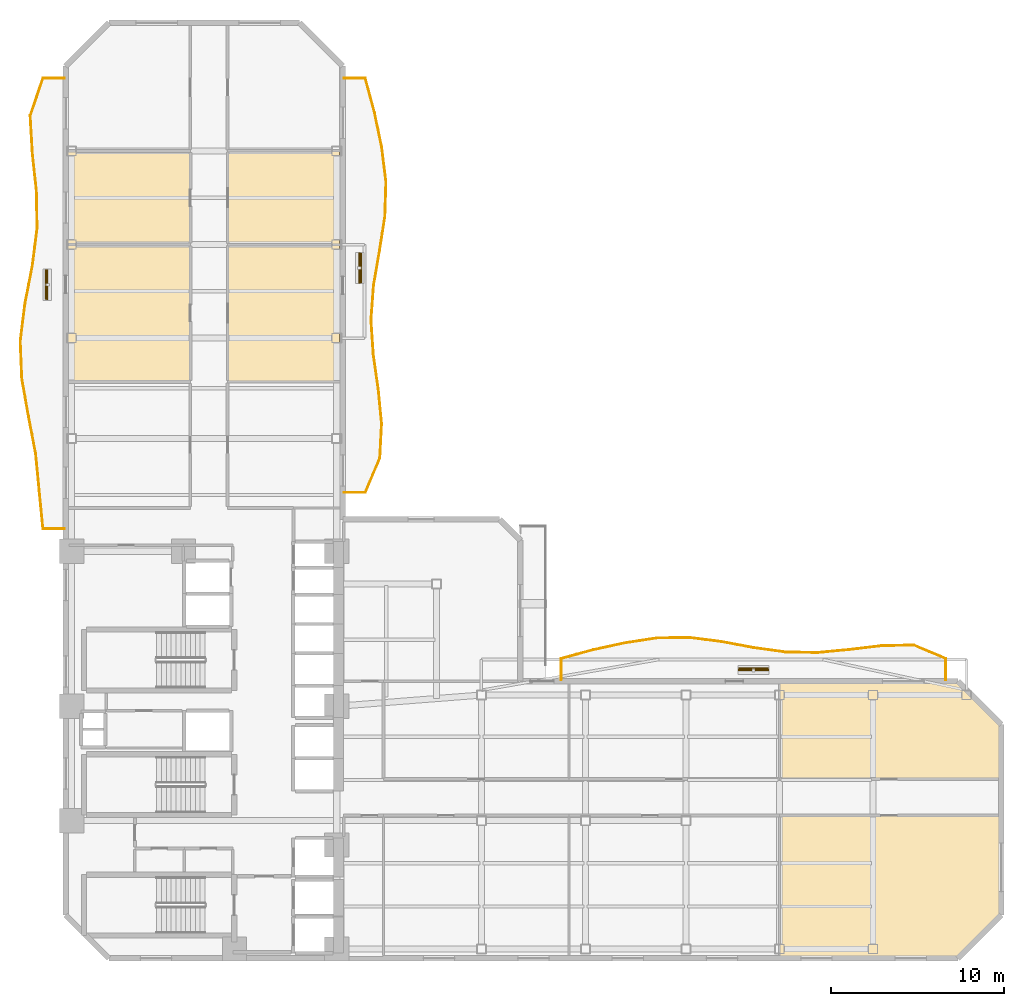
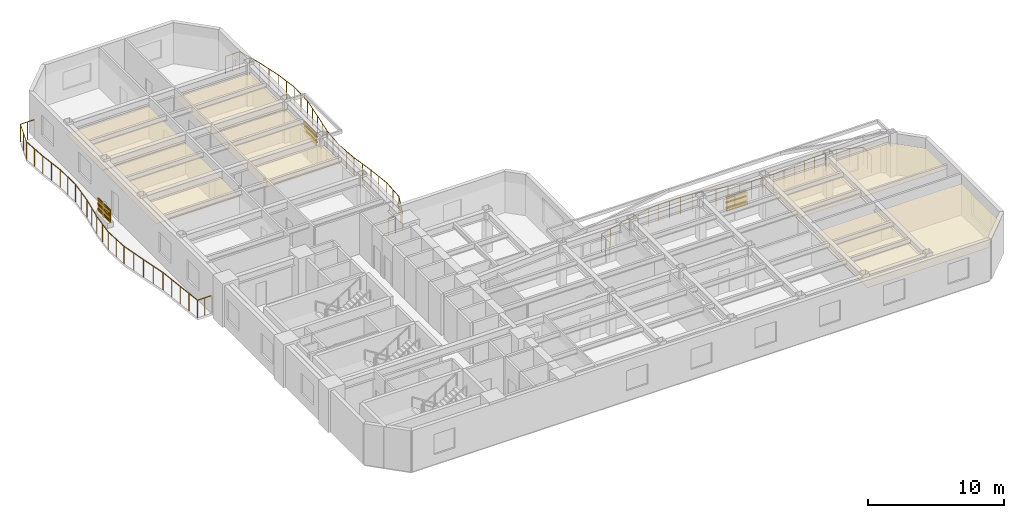
# One storey, part 10 of 11: 11 shading devices, 6 coverings, 3 railings.
"""IFC4 building model written with IfcOpenShell, lengths in metres."""

from ifc_helpers import new_model, si_unit, direction, frame, origin, origin_2d, place, context, subcontext, project, spatial, polyline, rectangle, outline, extrude, material, layer, layer_set, material_profile, profile_set, type_object, element, save


model = new_model("IFC4")

# Units and contexts
model_context = context("Model", 3, precision=1e-05, world=origin(), true_north=direction((0.0, 1.0)))
body_context = subcontext(model_context, "Body", "Model", "MODEL_VIEW")
ifc_project = project(units=[si_unit("LENGTHUNIT", "METRE"), si_unit("AREAUNIT", "SQUARE_METRE"), si_unit("VOLUMEUNIT", "CUBIC_METRE"), si_unit("PLANEANGLEUNIT", "RADIAN"), si_unit("MASSUNIT", "GRAM", prefix="KILO")], contexts=[model_context])

# Site, building, storey
site_placement = place(None, origin())
site = spatial("IfcSite", under=ifc_project, at=site_placement, CompositionType="ELEMENT")
building_placement = place(site_placement, origin())
building = spatial("IfcBuilding", under=site, at=building_placement, Name="Mawjaban Terraces University", CompositionType="ELEMENT")
storey_placement = place(building_placement, frame((0.0, 0.0, 77.800048828125)))
storey = spatial("IfcBuildingStorey", under=building, at=storey_placement, Name="L18", CompositionType="ELEMENT", Elevation=77.800048828125)

# Coverings
ifc_material_1 = material(Name="Acoustic mineral fibre ceiling tile", Category="masonry")
ifc_layer_1 = layer(ifc_material_1, 0.02001953125)
ifc_layer_set_1 = layer_set([ifc_layer_1], Name="Acoustic mineral fibre ceiling tile")
covering_type = type_object("IfcCoveringType", Name="AcousticMineralCeiling_20", PredefinedType="CEILING", material=ifc_layer_set_1)
covering_1_placement = place(storey_placement, frame((0.0, 0.0, 2.75)))
element("IfcCovering", 1, at=covering_1_placement, inside=storey, type_object=covering_type, Name="L18 Departmental Office 6 Acoustic Ceiling", PredefinedType="CEILING", context=body_context, shape_type="SweptSolid", body=[
    extrude(outline(polyline([(63.22998046875, 0.114990234375), (73.452880859375, 0.114990234375), (75.885009765625, 2.547119140625), (75.885009765625, 8.219970703125), (63.22998046875, 8.219970703125), (63.22998046875, 0.114990234375)])), origin(), (0.0, 0.0, 1.0), 0.02001953125),
])
covering_2_placement = place(storey_placement, frame((0.0, 0.0, 2.75)))
element("IfcCovering", 2, at=covering_2_placement, inside=storey, type_object=covering_type, Name="L18 Faculty Office 7 Acoustic Ceiling", PredefinedType="CEILING", context=body_context, shape_type="SweptSolid", body=[
    extrude(outline(polyline([(75.885009765625, 10.3798828125), (75.885009765625, 13.452880859375), (73.452880859375, 15.885009765625), (63.22998046875, 15.885009765625), (63.22998046875, 10.3798828125), (75.885009765625, 10.3798828125)])), origin(), (0.0, 0.0, 1.0), 0.02001953125),
])
covering_3_placement = place(storey_placement, frame((0.0, 0.0, 2.75)))
element("IfcCovering", 3, at=covering_3_placement, inside=storey, type_object=covering_type, Name="L18 Media Workshop 10 Acoustic Ceiling", PredefinedType="CEILING", context=body_context, shape_type="SweptSolid", body=[
    extrude(outline(polyline([(22.114990234375, 41.169921875), (22.114990234375, 33.31005859375), (29.169921875, 33.31005859375), (29.169921875, 41.169921875), (22.114990234375, 41.169921875)])), origin(), (0.0, 0.0, 1.0), 0.02001953125),
])
covering_4_placement = place(storey_placement, frame((0.0, 0.0, 2.75)))
element("IfcCovering", 4, at=covering_4_placement, inside=storey, type_object=covering_type, Name="L18 Teaching Laboratory 11 Acoustic Ceiling", PredefinedType="CEILING", context=body_context, shape_type="SweptSolid", body=[
    extrude(outline(polyline([(37.820068359375, 33.31005859375), (37.820068359375, 41.169921875), (31.3798828125, 41.169921875), (31.3798828125, 33.31005859375), (37.820068359375, 33.31005859375)])), origin(), (0.0, 0.0, 1.0), 0.02001953125),
])
covering_5_placement = place(storey_placement, frame((0.0, 0.0, 2.75)))
element("IfcCovering", 5, at=covering_5_placement, inside=storey, type_object=covering_type, Name="L18 Design Studio 12 Acoustic Ceiling", PredefinedType="CEILING", context=body_context, shape_type="SweptSolid", body=[
    extrude(outline(polyline([(22.114990234375, 46.570068359375), (22.114990234375, 41.22998046875), (29.169921875, 41.22998046875), (29.169921875, 46.570068359375), (22.114990234375, 46.570068359375)])), origin(), (0.0, 0.0, 1.0), 0.02001953125),
])
covering_6_placement = place(storey_placement, frame((0.0, 0.0, 2.75)))
element("IfcCovering", 6, at=covering_6_placement, inside=storey, type_object=covering_type, Name="L18 Computational Laboratory 13 Acoustic Ceiling", PredefinedType="CEILING", context=body_context, shape_type="SweptSolid", body=[
    extrude(outline(polyline([(37.820068359375, 41.22998046875), (37.820068359375, 46.570068359375), (31.3798828125, 46.570068359375), (31.3798828125, 41.22998046875), (37.820068359375, 41.22998046875)])), origin(), (0.0, 0.0, 1.0), 0.02001953125),
])

# Railings
ifc_material_2 = material(Name="Galvanised powder-coated steel S355", Category="steel")
railing_type = type_object("IfcRailingType", Name="BalconyBalustrade_1600", PredefinedType="BALUSTRADE", material=ifc_material_2)
railing_1_placement = place(storey_placement, frame((21.919921875, 24.800048828125, 0.0)))
element("IfcRailing", 7, at=railing_1_placement, inside=storey, type_object=railing_type, Name="L18 Balcony Guardrail west", PredefinedType="BALUSTRADE", context=body_context, shape_type="SweptSolid", body=[
    extrude(rectangle(XDim=0.048095703125, YDim=0.048095703125, at=origin_2d()), frame((0.0, 0.0, 1.576171875), z_axis=(-1.0, 0.0, 0.0), x_axis=(0.0, -1.0, 0.0)), (0.0, 0.0, 1.0), 1.219970703125),
    extrude(rectangle(XDim=0.048095703125, YDim=0.048095703125, at=origin_2d()), frame((-1.219970703125, 0.0, 1.576171875), z_axis=(-0.096883228076, 0.995295755099, 0.0), x_axis=(-0.995295755099, -0.096883228076, 0.0)), (0.0, 0.0, 1.0), 2.17724609375),
    extrude(rectangle(XDim=0.048095703125, YDim=0.048095703125, at=origin_2d()), frame((-1.430908203125, 2.1669921875, 1.576171875), z_axis=(-0.096037346488, 0.995377731356, 0.0), x_axis=(-0.995377731356, -0.096037346488, 0.0)), (0.0, 0.0, 1.0), 2.176025390625),
    extrude(rectangle(XDim=0.048095703125, YDim=0.048095703125, at=origin_2d()), frame((-1.639892578125, 4.3330078125, 1.576171875), z_axis=(-0.188108607076, 0.982148233183, 0.0), x_axis=(-0.982148233183, -0.188108607076, 0.0)), (0.0, 0.0, 1.0), 2.206298828125),
    extrude(rectangle(XDim=0.048095703125, YDim=0.048095703125, at=origin_2d()), frame((-2.054931640625, 6.5, 1.576171875), z_axis=(-0.174500407925, 0.984657101551, 0.0), x_axis=(-0.984657101551, -0.174500407925, 0.0)), (0.0, 0.0, 1.0), 2.20068359375),
    extrude(rectangle(XDim=0.048095703125, YDim=0.048095703125, at=origin_2d()), frame((-2.43896484375, 8.6669921875, 1.576171875), z_axis=(-0.040543732568, 0.999177764839, 0.0), x_axis=(-0.999177764839, -0.040543732568, 0.0)), (0.0, 0.0, 1.0), 2.167724609375),
    extrude(rectangle(XDim=0.048095703125, YDim=0.048095703125, at=origin_2d()), frame((-2.52685546875, 10.8330078125, 1.576171875), z_axis=(0.123649449448, 0.992325961391, 0.0), x_axis=(-0.992325961391, 0.123649449448, 0.0)), (0.0, 0.0, 1.0), 2.183837890625),
    extrude(rectangle(XDim=0.048095703125, YDim=0.048095703125, at=origin_2d()), frame((-2.2568359375, 13.0, 1.576171875), z_axis=(0.192372709266, 0.981321935315, 0.0), x_axis=(-0.981321935315, 0.192372709266, 0.0)), (0.0, 0.0, 1.0), 2.208251953125),
    extrude(rectangle(XDim=0.048095703125, YDim=0.048095703125, at=origin_2d()), frame((-1.83203125, 15.1669921875, 1.576171875), z_axis=(0.126016204068, 0.992028183225, 0.0), x_axis=(-0.992028183225, 0.126016204068, 0.0)), (0.0, 0.0, 1.0), 2.183349609375),
    extrude(rectangle(XDim=0.048095703125, YDim=0.048095703125, at=origin_2d()), frame((-1.556884765625, 17.3330078125, 1.576171875), z_axis=(-0.017572770568, 0.999845586946, 0.0), x_axis=(-0.999845586946, -0.017572770568, 0.0)), (0.0, 0.0, 1.0), 2.167236328125),
    extrude(rectangle(XDim=0.048095703125, YDim=0.048095703125, at=origin_2d()), frame((-1.594970703125, 19.5, 1.576171875), z_axis=(-0.107751142086, 0.994177897249, 0.0), x_axis=(-0.994177897249, -0.107751142086, 0.0)), (0.0, 0.0, 1.0), 2.1796875),
    extrude(rectangle(XDim=0.048095703125, YDim=0.048095703125, at=origin_2d()), frame((-1.829833984375, 21.6669921875, 1.576171875), z_axis=(-0.057165158423, 0.998364735286, 0.0), x_axis=(-0.998364735286, -0.057165158423, 0.0)), (0.0, 0.0, 1.0), 2.169677734375),
    extrude(rectangle(XDim=0.048095703125, YDim=0.048095703125, at=origin_2d()), frame((-1.953857421875, 23.8330078125, 1.576171875), z_axis=(0.32076997758, 0.94715712608, 0.0), x_axis=(-0.94715712608, 0.32076997758, 0.0)), (0.0, 0.0, 1.0), 2.287841796875),
    extrude(rectangle(XDim=0.048095703125, YDim=0.048095703125, at=origin_2d()), frame((-1.219970703125, 26.0, 1.576171875), z_axis=(1.0, 0.0, 0.0), x_axis=(0.0, 1.0, 0.0)), (0.0, 0.0, 1.0), 1.219970703125),
    extrude(rectangle(XDim=0.0419921875, YDim=0.0419921875, at=origin_2d()), origin(), (0.0, 0.0, 1.0), 1.552001953125),
    extrude(rectangle(XDim=0.0419921875, YDim=0.0419921875, at=origin_2d()), frame((-0.60986328125, 0.0, 0.0)), (0.0, 0.0, 1.0), 1.552001953125),
    extrude(rectangle(XDim=0.0419921875, YDim=0.0419921875, at=origin_2d()), frame((-1.219970703125, 0.0, 0.0)), (0.0, 0.0, 1.0), 1.552001953125),
    extrude(rectangle(XDim=0.0419921875, YDim=0.0419921875, at=origin_2d()), frame((-1.325439453125, 1.08349609375, 0.0)), (0.0, 0.0, 1.0), 1.552001953125),
    extrude(rectangle(XDim=0.0419921875, YDim=0.0419921875, at=origin_2d()), frame((-1.430908203125, 2.1669921875, 0.0)), (0.0, 0.0, 1.0), 1.552001953125),
    extrude(rectangle(XDim=0.0419921875, YDim=0.0419921875, at=origin_2d()), frame((-1.535400390625, 3.25, 0.0)), (0.0, 0.0, 1.0), 1.552001953125),
    extrude(rectangle(XDim=0.0419921875, YDim=0.0419921875, at=origin_2d()), frame((-1.639892578125, 4.3330078125, 0.0)), (0.0, 0.0, 1.0), 1.552001953125),
    extrude(rectangle(XDim=0.0419921875, YDim=0.0419921875, at=origin_2d()), frame((-1.847412109375, 5.41650390625, 0.0)), (0.0, 0.0, 1.0), 1.552001953125),
    extrude(rectangle(XDim=0.0419921875, YDim=0.0419921875, at=origin_2d()), frame((-2.054931640625, 6.5, 0.0)), (0.0, 0.0, 1.0), 1.552001953125),
    extrude(rectangle(XDim=0.0419921875, YDim=0.0419921875, at=origin_2d()), frame((-2.2470703125, 7.58349609375, 0.0)), (0.0, 0.0, 1.0), 1.552001953125),
    extrude(rectangle(XDim=0.0419921875, YDim=0.0419921875, at=origin_2d()), frame((-2.43896484375, 8.6669921875, 0.0)), (0.0, 0.0, 1.0), 1.552001953125),
    extrude(rectangle(XDim=0.0419921875, YDim=0.0419921875, at=origin_2d()), frame((-2.48291015625, 9.75, 0.0)), (0.0, 0.0, 1.0), 1.552001953125),
    extrude(rectangle(XDim=0.0419921875, YDim=0.0419921875, at=origin_2d()), frame((-2.52685546875, 10.8330078125, 0.0)), (0.0, 0.0, 1.0), 1.552001953125),
    extrude(rectangle(XDim=0.0419921875, YDim=0.0419921875, at=origin_2d()), frame((-2.391845703125, 11.91650390625, 0.0)), (0.0, 0.0, 1.0), 1.552001953125),
    extrude(rectangle(XDim=0.0419921875, YDim=0.0419921875, at=origin_2d()), frame((-2.2568359375, 13.0, 0.0)), (0.0, 0.0, 1.0), 1.552001953125),
    extrude(rectangle(XDim=0.0419921875, YDim=0.0419921875, at=origin_2d()), frame((-2.04443359375, 14.08349609375, 0.0)), (0.0, 0.0, 1.0), 1.552001953125),
    extrude(rectangle(XDim=0.0419921875, YDim=0.0419921875, at=origin_2d()), frame((-1.83203125, 15.1669921875, 0.0)), (0.0, 0.0, 1.0), 1.552001953125),
    extrude(rectangle(XDim=0.0419921875, YDim=0.0419921875, at=origin_2d()), frame((-1.6943359375, 16.25, 0.0)), (0.0, 0.0, 1.0), 1.552001953125),
    extrude(rectangle(XDim=0.0419921875, YDim=0.0419921875, at=origin_2d()), frame((-1.556884765625, 17.3330078125, 0.0)), (0.0, 0.0, 1.0), 1.552001953125),
    extrude(rectangle(XDim=0.0419921875, YDim=0.0419921875, at=origin_2d()), frame((-1.575927734375, 18.41650390625, 0.0)), (0.0, 0.0, 1.0), 1.552001953125),
    extrude(rectangle(XDim=0.0419921875, YDim=0.0419921875, at=origin_2d()), frame((-1.594970703125, 19.5, 0.0)), (0.0, 0.0, 1.0), 1.552001953125),
    extrude(rectangle(XDim=0.0419921875, YDim=0.0419921875, at=origin_2d()), frame((-1.71240234375, 20.58349609375, 0.0)), (0.0, 0.0, 1.0), 1.552001953125),
    extrude(rectangle(XDim=0.0419921875, YDim=0.0419921875, at=origin_2d()), frame((-1.829833984375, 21.6669921875, 0.0)), (0.0, 0.0, 1.0), 1.552001953125),
    extrude(rectangle(XDim=0.0419921875, YDim=0.0419921875, at=origin_2d()), frame((-1.891845703125, 22.75, 0.0)), (0.0, 0.0, 1.0), 1.552001953125),
    extrude(rectangle(XDim=0.0419921875, YDim=0.0419921875, at=origin_2d()), frame((-1.953857421875, 23.8330078125, 0.0)), (0.0, 0.0, 1.0), 1.552001953125),
    extrude(rectangle(XDim=0.0419921875, YDim=0.0419921875, at=origin_2d()), frame((-1.5869140625, 24.91650390625, 0.0)), (0.0, 0.0, 1.0), 1.552001953125),
    extrude(rectangle(XDim=0.0419921875, YDim=0.0419921875, at=origin_2d()), frame((-1.219970703125, 26.0, 0.0)), (0.0, 0.0, 1.0), 1.552001953125),
    extrude(rectangle(XDim=0.0419921875, YDim=0.0419921875, at=origin_2d()), frame((-0.60986328125, 26.0, 0.0)), (0.0, 0.0, 1.0), 1.552001953125),
    extrude(rectangle(XDim=0.0419921875, YDim=0.0419921875, at=origin_2d()), frame((0.0, 26.0, 0.0)), (0.0, 0.0, 1.0), 1.552001953125),
])
railing_2_placement = place(storey_placement, frame((50.60009765625, 16.080078125, 0.0)))
element("IfcRailing", 8, at=railing_2_placement, inside=storey, type_object=railing_type, Name="L18 Balcony Guardrail inner_north", PredefinedType="BALUSTRADE", context=body_context, shape_type="SweptSolid", body=[
    extrude(rectangle(XDim=0.048095703125, YDim=0.048095703125, at=origin_2d()), frame((0.0, 0.0, 1.576171875), z_axis=(0.0, 1.0, 0.0), x_axis=(-1.0, 0.0, 0.0)), (0.0, 0.0, 1.0), 1.219970703125),
    extrude(rectangle(XDim=0.048095703125, YDim=0.048095703125, at=origin_2d()), frame((0.0, 1.219970703125, 1.576171875), z_axis=(0.964454731863, 0.26424812239, 0.0), x_axis=(-0.26424812239, 0.964454731863, 0.0)), (0.0, 0.0, 1.0), 1.91796875),
    extrude(rectangle(XDim=0.048095703125, YDim=0.048095703125, at=origin_2d()), frame((1.849853515625, 1.726806640625, 1.576171875), z_axis=(0.977293772281, 0.211888845059, 0.0), x_axis=(-0.211888845059, 0.977293772281, 0.0)), (0.0, 0.0, 1.0), 1.89306640625),
    extrude(rectangle(XDim=0.048095703125, YDim=0.048095703125, at=origin_2d()), frame((3.699951171875, 2.1279296875, 1.576171875), z_axis=(0.988658038561, 0.150184162912, 0.0), x_axis=(-0.150184162912, 0.988658038561, 0.0)), (0.0, 0.0, 1.0), 1.87109375),
    extrude(rectangle(XDim=0.048095703125, YDim=0.048095703125, at=origin_2d()), frame((5.5498046875, 2.408935546875, 1.576171875), z_axis=(0.99991638995, 0.012931090818, 0.0), x_axis=(-0.012931090818, 0.99991638995, 0.0)), (0.0, 0.0, 1.0), 1.850341796875),
    extrude(rectangle(XDim=0.048095703125, YDim=0.048095703125, at=origin_2d()), frame((7.39990234375, 2.432861328125, 1.576171875), z_axis=(0.9921036933, -0.125420340219, 0.0), x_axis=(0.125420340219, 0.9921036933, 0.0)), (0.0, 0.0, 1.0), 1.86474609375),
    extrude(rectangle(XDim=0.048095703125, YDim=0.048095703125, at=origin_2d()), frame((9.25, 2.198974609375, 1.576171875), z_axis=(0.982841335558, -0.184452999758, 0.0), x_axis=(0.184452999758, 0.982841335558, 0.0)), (0.0, 0.0, 1.0), 1.882080078125),
    extrude(rectangle(XDim=0.048095703125, YDim=0.048095703125, at=origin_2d()), frame((11.099853515625, 1.851806640625, 1.576171875), z_axis=(0.990501176229, -0.137504254077, 0.0), x_axis=(0.137504254077, 0.990501176229, 0.0)), (0.0, 0.0, 1.0), 1.867919921875),
    extrude(rectangle(XDim=0.048095703125, YDim=0.048095703125, at=origin_2d()), frame((12.949951171875, 1.594970703125, 1.576171875), z_axis=(0.999859559821, -0.016758897202, 0.0), x_axis=(0.016758897202, 0.999859559821, 0.0)), (0.0, 0.0, 1.0), 1.85009765625),
    extrude(rectangle(XDim=0.048095703125, YDim=0.048095703125, at=origin_2d()), frame((14.7998046875, 1.56396484375, 1.576171875), z_axis=(0.995454643991, 0.095236819331, 0.0), x_axis=(-0.095236819331, 0.995454643991, 0.0)), (0.0, 0.0, 1.0), 1.858642578125),
    extrude(rectangle(XDim=0.048095703125, YDim=0.048095703125, at=origin_2d()), frame((16.64990234375, 1.740966796875, 1.576171875), z_axis=(0.993128221944, 0.117031341013, 0.0), x_axis=(-0.117031341013, 0.993128221944, 0.0)), (0.0, 0.0, 1.0), 1.86279296875),
    extrude(rectangle(XDim=0.048095703125, YDim=0.048095703125, at=origin_2d()), frame((18.5, 1.958984375, 1.576171875), z_axis=(0.999790828483, 0.020452366163, 0.0), x_axis=(-0.020452366163, 0.999790828483, 0.0)), (0.0, 0.0, 1.0), 1.850341796875),
    extrude(rectangle(XDim=0.048095703125, YDim=0.048095703125, at=origin_2d()), frame((20.349853515625, 1.996826171875, 1.576171875), z_axis=(0.922015115737, -0.387153879424, 0.0), x_axis=(0.387153879424, 0.922015115737, 0.0)), (0.0, 0.0, 1.0), 2.006591796875),
    extrude(rectangle(XDim=0.048095703125, YDim=0.048095703125, at=origin_2d()), frame((22.199951171875, 1.219970703125, 1.576171875), z_axis=(0.0, -1.0, 0.0), x_axis=(1.0, 0.0, 0.0)), (0.0, 0.0, 1.0), 1.219970703125),
    extrude(rectangle(XDim=0.0419921875, YDim=0.0419921875, at=origin_2d()), origin(), (0.0, 0.0, 1.0), 1.552001953125),
    extrude(rectangle(XDim=0.0419921875, YDim=0.0419921875, at=origin_2d()), frame((0.0, 0.60986328125, 0.0)), (0.0, 0.0, 1.0), 1.552001953125),
    extrude(rectangle(XDim=0.0419921875, YDim=0.0419921875, at=origin_2d()), frame((0.0, 1.219970703125, 0.0)), (0.0, 0.0, 1.0), 1.552001953125),
    extrude(rectangle(XDim=0.0419921875, YDim=0.0419921875, at=origin_2d()), frame((0.9248046875, 1.473388671875, 0.0)), (0.0, 0.0, 1.0), 1.552001953125),
    extrude(rectangle(XDim=0.0419921875, YDim=0.0419921875, at=origin_2d()), frame((1.849853515625, 1.726806640625, 0.0)), (0.0, 0.0, 1.0), 1.552001953125),
    extrude(rectangle(XDim=0.0419921875, YDim=0.0419921875, at=origin_2d()), frame((2.77490234375, 1.92724609375, 0.0)), (0.0, 0.0, 1.0), 1.552001953125),
    extrude(rectangle(XDim=0.0419921875, YDim=0.0419921875, at=origin_2d()), frame((3.699951171875, 2.1279296875, 0.0)), (0.0, 0.0, 1.0), 1.552001953125),
    extrude(rectangle(XDim=0.0419921875, YDim=0.0419921875, at=origin_2d()), frame((4.625, 2.2685546875, 0.0)), (0.0, 0.0, 1.0), 1.552001953125),
    extrude(rectangle(XDim=0.0419921875, YDim=0.0419921875, at=origin_2d()), frame((5.5498046875, 2.408935546875, 0.0)), (0.0, 0.0, 1.0), 1.552001953125),
    extrude(rectangle(XDim=0.0419921875, YDim=0.0419921875, at=origin_2d()), frame((6.474853515625, 2.4208984375, 0.0)), (0.0, 0.0, 1.0), 1.552001953125),
    extrude(rectangle(XDim=0.0419921875, YDim=0.0419921875, at=origin_2d()), frame((7.39990234375, 2.432861328125, 0.0)), (0.0, 0.0, 1.0), 1.552001953125),
    extrude(rectangle(XDim=0.0419921875, YDim=0.0419921875, at=origin_2d()), frame((8.324951171875, 2.31591796875, 0.0)), (0.0, 0.0, 1.0), 1.552001953125),
    extrude(rectangle(XDim=0.0419921875, YDim=0.0419921875, at=origin_2d()), frame((9.25, 2.198974609375, 0.0)), (0.0, 0.0, 1.0), 1.552001953125),
    extrude(rectangle(XDim=0.0419921875, YDim=0.0419921875, at=origin_2d()), frame((10.1748046875, 2.025390625, 0.0)), (0.0, 0.0, 1.0), 1.552001953125),
    extrude(rectangle(XDim=0.0419921875, YDim=0.0419921875, at=origin_2d()), frame((11.099853515625, 1.851806640625, 0.0)), (0.0, 0.0, 1.0), 1.552001953125),
    extrude(rectangle(XDim=0.0419921875, YDim=0.0419921875, at=origin_2d()), frame((12.02490234375, 1.723388671875, 0.0)), (0.0, 0.0, 1.0), 1.552001953125),
    extrude(rectangle(XDim=0.0419921875, YDim=0.0419921875, at=origin_2d()), frame((12.949951171875, 1.594970703125, 0.0)), (0.0, 0.0, 1.0), 1.552001953125),
    extrude(rectangle(XDim=0.0419921875, YDim=0.0419921875, at=origin_2d()), frame((13.875, 1.57958984375, 0.0)), (0.0, 0.0, 1.0), 1.552001953125),
    extrude(rectangle(XDim=0.0419921875, YDim=0.0419921875, at=origin_2d()), frame((14.7998046875, 1.56396484375, 0.0)), (0.0, 0.0, 1.0), 1.552001953125),
    extrude(rectangle(XDim=0.0419921875, YDim=0.0419921875, at=origin_2d()), frame((15.724853515625, 1.65234375, 0.0)), (0.0, 0.0, 1.0), 1.552001953125),
    extrude(rectangle(XDim=0.0419921875, YDim=0.0419921875, at=origin_2d()), frame((16.64990234375, 1.740966796875, 0.0)), (0.0, 0.0, 1.0), 1.552001953125),
    extrude(rectangle(XDim=0.0419921875, YDim=0.0419921875, at=origin_2d()), frame((17.574951171875, 1.85009765625, 0.0)), (0.0, 0.0, 1.0), 1.552001953125),
    extrude(rectangle(XDim=0.0419921875, YDim=0.0419921875, at=origin_2d()), frame((18.5, 1.958984375, 0.0)), (0.0, 0.0, 1.0), 1.552001953125),
    extrude(rectangle(XDim=0.0419921875, YDim=0.0419921875, at=origin_2d()), frame((19.4248046875, 1.97802734375, 0.0)), (0.0, 0.0, 1.0), 1.552001953125),
    extrude(rectangle(XDim=0.0419921875, YDim=0.0419921875, at=origin_2d()), frame((20.349853515625, 1.996826171875, 0.0)), (0.0, 0.0, 1.0), 1.552001953125),
    extrude(rectangle(XDim=0.0419921875, YDim=0.0419921875, at=origin_2d()), frame((21.27490234375, 1.6083984375, 0.0)), (0.0, 0.0, 1.0), 1.552001953125),
    extrude(rectangle(XDim=0.0419921875, YDim=0.0419921875, at=origin_2d()), frame((22.199951171875, 1.219970703125, 0.0)), (0.0, 0.0, 1.0), 1.552001953125),
    extrude(rectangle(XDim=0.0419921875, YDim=0.0419921875, at=origin_2d()), frame((22.199951171875, 0.60986328125, 0.0)), (0.0, 0.0, 1.0), 1.552001953125),
    extrude(rectangle(XDim=0.0419921875, YDim=0.0419921875, at=origin_2d()), frame((22.199951171875, 0.0, 0.0)), (0.0, 0.0, 1.0), 1.552001953125),
])
railing_3_placement = place(storey_placement, frame((38.080078125, 26.889892578125, 0.0)))
element("IfcRailing", 9, at=railing_3_placement, inside=storey, type_object=railing_type, Name="L18 Balcony Guardrail inner_east", PredefinedType="BALUSTRADE", context=body_context, shape_type="SweptSolid", body=[
    extrude(rectangle(XDim=0.048095703125, YDim=0.048095703125, at=origin_2d()), frame((0.0, 0.0, 1.576171875), z_axis=(1.0, 0.0, 0.0), x_axis=(0.0, 1.0, 0.0)), (0.0, 0.0, 1.0), 1.219970703125),
    extrude(rectangle(XDim=0.048095703125, YDim=0.048095703125, at=origin_2d()), frame((1.219970703125, 0.0, 1.576171875), z_axis=(0.388778343302, 0.921331319222, 0.0), x_axis=(-0.921331319222, 0.388778343302, 0.0)), (0.0, 0.0, 1.0), 2.163330078125),
    extrude(rectangle(XDim=0.048095703125, YDim=0.048095703125, at=origin_2d()), frame((2.06103515625, 1.9931640625, 1.576171875), z_axis=(0.052141257566, 0.998639719448, 0.0), x_axis=(-0.998639719448, 0.052141257566, 0.0)), (0.0, 0.0, 1.0), 1.99462890625),
    extrude(rectangle(XDim=0.048095703125, YDim=0.048095703125, at=origin_2d()), frame((2.1650390625, 3.985107421875, 1.576171875), z_axis=(-0.096979127382, 0.995286415487, 0.0), x_axis=(-0.995286415487, -0.096979127382, 0.0)), (0.0, 0.0, 1.0), 2.00146484375),
    extrude(rectangle(XDim=0.048095703125, YDim=0.048095703125, at=origin_2d()), frame((1.970947265625, 5.97705078125, 1.576171875), z_axis=(-0.141506235207, 0.989937364381, 0.0), x_axis=(-0.989937364381, -0.141506235207, 0.0)), (0.0, 0.0, 1.0), 2.013427734375),
    extrude(rectangle(XDim=0.048095703125, YDim=0.048095703125, at=origin_2d()), frame((1.68603515625, 7.97021484375, 1.576171875), z_axis=(-0.066648877059, 0.997776491599, 0.0), x_axis=(-0.997776491599, -0.066648877059, 0.0)), (0.0, 0.0, 1.0), 1.996337890625),
    extrude(rectangle(XDim=0.048095703125, YDim=0.048095703125, at=origin_2d()), frame((1.552978515625, 9.962158203125, 1.576171875), z_axis=(0.07354766693, 0.997291702908, 0.0), x_axis=(-0.997291702908, 0.07354766693, 0.0)), (0.0, 0.0, 1.0), 1.998291015625),
    extrude(rectangle(XDim=0.048095703125, YDim=0.048095703125, at=origin_2d()), frame((1.699951171875, 11.955078125, 1.576171875), z_axis=(0.169704672683, 0.985494964, 0.0), x_axis=(-0.985494964, 0.169704672683, 0.0)), (0.0, 0.0, 1.0), 2.021240234375),
    extrude(rectangle(XDim=0.048095703125, YDim=0.048095703125, at=origin_2d()), frame((2.04296875, 13.947021484375, 1.576171875), z_axis=(0.154657435523, 0.987968156186, 0.0), x_axis=(-0.987968156186, 0.154657435523, 0.0)), (0.0, 0.0, 1.0), 2.017333984375),
    extrude(rectangle(XDim=0.048095703125, YDim=0.048095703125, at=origin_2d()), frame((2.35498046875, 15.940185546875, 1.576171875), z_axis=(0.030626636063, 0.999530894552, 0.0), x_axis=(-0.999530894552, 0.030626636063, 0.0)), (0.0, 0.0, 1.0), 1.992919921875),
    extrude(rectangle(XDim=0.048095703125, YDim=0.048095703125, at=origin_2d()), frame((2.416015625, 17.93212890625, 1.576171875), z_axis=(-0.122074123522, 0.992520986361, 0.0), x_axis=(-0.992520986361, -0.122074123522, 0.0)), (0.0, 0.0, 1.0), 2.008056640625),
    extrude(rectangle(XDim=0.048095703125, YDim=0.048095703125, at=origin_2d()), frame((2.1708984375, 19.925048828125, 1.576171875), z_axis=(-0.203978211558, 0.978975428297, 0.0), x_axis=(-0.978975428297, -0.203978211558, 0.0)), (0.0, 0.0, 1.0), 2.03466796875),
    extrude(rectangle(XDim=0.048095703125, YDim=0.048095703125, at=origin_2d()), frame((1.755859375, 21.9169921875, 1.576171875), z_axis=(-0.259642577565, 0.965704785074, 0.0), x_axis=(-0.965704785074, -0.259642577565, 0.0)), (0.0, 0.0, 1.0), 2.06396484375),
    extrude(rectangle(XDim=0.048095703125, YDim=0.048095703125, at=origin_2d()), frame((1.219970703125, 23.91015625, 1.576171875), z_axis=(-1.0, 0.0, 0.0), x_axis=(0.0, -1.0, 0.0)), (0.0, 0.0, 1.0), 1.219970703125),
    extrude(rectangle(XDim=0.0419921875, YDim=0.0419921875, at=origin_2d()), origin(), (0.0, 0.0, 1.0), 1.552001953125),
    extrude(rectangle(XDim=0.0419921875, YDim=0.0419921875, at=origin_2d()), frame((0.60986328125, 0.0, 0.0)), (0.0, 0.0, 1.0), 1.552001953125),
    extrude(rectangle(XDim=0.0419921875, YDim=0.0419921875, at=origin_2d()), frame((1.219970703125, 0.0, 0.0)), (0.0, 0.0, 1.0), 1.552001953125),
    extrude(rectangle(XDim=0.0419921875, YDim=0.0419921875, at=origin_2d()), frame((1.640625, 0.99658203125, 0.0)), (0.0, 0.0, 1.0), 1.552001953125),
    extrude(rectangle(XDim=0.0419921875, YDim=0.0419921875, at=origin_2d()), frame((2.06103515625, 1.9931640625, 0.0)), (0.0, 0.0, 1.0), 1.552001953125),
    extrude(rectangle(XDim=0.0419921875, YDim=0.0419921875, at=origin_2d()), frame((2.113037109375, 2.9892578125, 0.0)), (0.0, 0.0, 1.0), 1.552001953125),
    extrude(rectangle(XDim=0.0419921875, YDim=0.0419921875, at=origin_2d()), frame((2.1650390625, 3.985107421875, 0.0)), (0.0, 0.0, 1.0), 1.552001953125),
    extrude(rectangle(XDim=0.0419921875, YDim=0.0419921875, at=origin_2d()), frame((2.06787109375, 4.98095703125, 0.0)), (0.0, 0.0, 1.0), 1.552001953125),
    extrude(rectangle(XDim=0.0419921875, YDim=0.0419921875, at=origin_2d()), frame((1.970947265625, 5.97705078125, 0.0)), (0.0, 0.0, 1.0), 1.552001953125),
    extrude(rectangle(XDim=0.0419921875, YDim=0.0419921875, at=origin_2d()), frame((1.82861328125, 6.9736328125, 0.0)), (0.0, 0.0, 1.0), 1.552001953125),
    extrude(rectangle(XDim=0.0419921875, YDim=0.0419921875, at=origin_2d()), frame((1.68603515625, 7.97021484375, 0.0)), (0.0, 0.0, 1.0), 1.552001953125),
    extrude(rectangle(XDim=0.0419921875, YDim=0.0419921875, at=origin_2d()), frame((1.61962890625, 8.96630859375, 0.0)), (0.0, 0.0, 1.0), 1.552001953125),
    extrude(rectangle(XDim=0.0419921875, YDim=0.0419921875, at=origin_2d()), frame((1.552978515625, 9.962158203125, 0.0)), (0.0, 0.0, 1.0), 1.552001953125),
    extrude(rectangle(XDim=0.0419921875, YDim=0.0419921875, at=origin_2d()), frame((1.62646484375, 10.95849609375, 0.0)), (0.0, 0.0, 1.0), 1.552001953125),
    extrude(rectangle(XDim=0.0419921875, YDim=0.0419921875, at=origin_2d()), frame((1.699951171875, 11.955078125, 0.0)), (0.0, 0.0, 1.0), 1.552001953125),
    extrude(rectangle(XDim=0.0419921875, YDim=0.0419921875, at=origin_2d()), frame((1.87158203125, 12.951171875, 0.0)), (0.0, 0.0, 1.0), 1.552001953125),
    extrude(rectangle(XDim=0.0419921875, YDim=0.0419921875, at=origin_2d()), frame((2.04296875, 13.947021484375, 0.0)), (0.0, 0.0, 1.0), 1.552001953125),
    extrude(rectangle(XDim=0.0419921875, YDim=0.0419921875, at=origin_2d()), frame((2.198974609375, 14.943603515625, 0.0)), (0.0, 0.0, 1.0), 1.552001953125),
    extrude(rectangle(XDim=0.0419921875, YDim=0.0419921875, at=origin_2d()), frame((2.35498046875, 15.940185546875, 0.0)), (0.0, 0.0, 1.0), 1.552001953125),
    extrude(rectangle(XDim=0.0419921875, YDim=0.0419921875, at=origin_2d()), frame((2.385498046875, 16.93603515625, 0.0)), (0.0, 0.0, 1.0), 1.552001953125),
    extrude(rectangle(XDim=0.0419921875, YDim=0.0419921875, at=origin_2d()), frame((2.416015625, 17.93212890625, 0.0)), (0.0, 0.0, 1.0), 1.552001953125),
    extrude(rectangle(XDim=0.0419921875, YDim=0.0419921875, at=origin_2d()), frame((2.29345703125, 18.9287109375, 0.0)), (0.0, 0.0, 1.0), 1.552001953125),
    extrude(rectangle(XDim=0.0419921875, YDim=0.0419921875, at=origin_2d()), frame((2.1708984375, 19.925048828125, 0.0)), (0.0, 0.0, 1.0), 1.552001953125),
    extrude(rectangle(XDim=0.0419921875, YDim=0.0419921875, at=origin_2d()), frame((1.96337890625, 20.9208984375, 0.0)), (0.0, 0.0, 1.0), 1.552001953125),
    extrude(rectangle(XDim=0.0419921875, YDim=0.0419921875, at=origin_2d()), frame((1.755859375, 21.9169921875, 0.0)), (0.0, 0.0, 1.0), 1.552001953125),
    extrude(rectangle(XDim=0.0419921875, YDim=0.0419921875, at=origin_2d()), frame((1.48779296875, 22.91357421875, 0.0)), (0.0, 0.0, 1.0), 1.552001953125),
    extrude(rectangle(XDim=0.0419921875, YDim=0.0419921875, at=origin_2d()), frame((1.219970703125, 23.91015625, 0.0)), (0.0, 0.0, 1.0), 1.552001953125),
    extrude(rectangle(XDim=0.0419921875, YDim=0.0419921875, at=origin_2d()), frame((0.60986328125, 23.91015625, 0.0)), (0.0, 0.0, 1.0), 1.552001953125),
    extrude(rectangle(XDim=0.0419921875, YDim=0.0419921875, at=origin_2d()), frame((0.0, 23.91015625, 0.0)), (0.0, 0.0, 1.0), 1.552001953125),
])

# Shading devices
ifc_material_3 = material(Name="Glazed architectural terracotta ceramic", Category="masonry")
ifc_material_profile = material_profile(ifc_material_3, rectangle(XDim=0.06494140625, YDim=0.110107421875, at=origin_2d()), Name="TBAG110X65")
ifc_profile_set = profile_set([ifc_material_profile], Name="Glazed architectural terracotta ceramic")
shading_device_type_1 = type_object("IfcShadingDeviceType", Name="TerracottaBaguette_110x65", PredefinedType="USERDEFINED", material=ifc_profile_set)
for number, where, z_axis, x_axis, name in (
    (10, (20.85791015625, 38.032958984375, 0.679931640625), (0.0, 1.0, 0.0), (-1.0, 0.0, 0.0), "L18 Horizontal Terracotta Baguette west.1"),
    (11, (20.85791015625, 38.032958984375, 1.14990234375), (0.0, 1.0, 0.0), (-1.0, 0.0, 0.0), "L18 Horizontal Terracotta Baguette west.2"),
    (12, (20.85791015625, 38.032958984375, 1.619873046875), (0.0, 1.0, 0.0), (-1.0, 0.0, 0.0), "L18 Horizontal Terracotta Baguette west.3"),
    (13, (60.85009765625, 16.72998046875, 0.679931640625), (1.0, 0.0, 0.0), (0.0, 1.0, 0.0), "L18 Horizontal Terracotta Baguette inner_north.1"),
    (14, (60.85009765625, 16.72998046875, 1.14990234375), (1.0, 0.0, 0.0), (0.0, 1.0, 0.0), "L18 Horizontal Terracotta Baguette inner_north.2"),
    (15, (60.85009765625, 16.72998046875, 1.619873046875), (1.0, 0.0, 0.0), (0.0, 1.0, 0.0), "L18 Horizontal Terracotta Baguette inner_north.3"),
    (16, (39.055908203125, 38.990966796875, 0.679931640625), (0.0, 1.0, 0.0), (-1.0, 0.0, 0.0), "L18 Horizontal Terracotta Baguette inner_east.1"),
    (17, (39.055908203125, 38.990966796875, 1.14990234375), (0.0, 1.0, 0.0), (-1.0, 0.0, 0.0), "L18 Horizontal Terracotta Baguette inner_east.2"),
):
    element("IfcShadingDevice", number, at=place(storey_placement, frame(where, z_axis=z_axis, x_axis=x_axis)), inside=storey, type_object=shading_device_type_1, Name=name, ObjectType="BAGUETTE", PredefinedType="USERDEFINED", context=body_context, shape_type="SweptSolid", body=[
        extrude(rectangle(XDim=0.06494140625, YDim=0.110107421875, at=origin_2d()), origin(), (0.0, 0.0, 1.0), 1.699951171875),
    ])
ifc_layer_2 = layer(ifc_material_3, 0.080078125)
ifc_layer_set_2 = layer_set([ifc_layer_2], Name="Glazed architectural terracotta ceramic")
shading_device_type_2 = type_object("IfcShadingDeviceType", Name="TerracottaScreen_Perforated", PredefinedType="USERDEFINED", material=ifc_layer_set_2)
for number, where, z_axis, x_axis, name in (
    (18, (20.943115234375, 38.883056640625, 0.43994140625), (0.0, 0.0, 1.0), (0.0, 1.0, 0.0), "L18 Balcony Perforated Terracotta Screen west"),
    (19, (61.699951171875, 16.64501953125, 0.43994140625), (0.0, 0.0, 1.0), (1.0, 0.0, 0.0), "L18 Balcony Perforated Terracotta Screen inner_north"),
    (20, (38.970947265625, 39.841064453125, 0.43994140625), (0.0, 0.0, 1.0), (0.0, 1.0, 0.0), "L18 Balcony Perforated Terracotta Screen inner_east"),
):
    element("IfcShadingDevice", number, at=place(storey_placement, frame(where, z_axis=z_axis, x_axis=x_axis)), inside=storey, type_object=shading_device_type_2, Name=name, ObjectType="SCREEN", PredefinedType="USERDEFINED", context=body_context, shape_type="SweptSolid", body=[
        extrude(rectangle(XDim=1.75, YDim=0.080078125, at=origin_2d()), origin(), (0.0, 0.0, 1.0), 1.14990234375),
    ])

save(model, "model.ifc")
